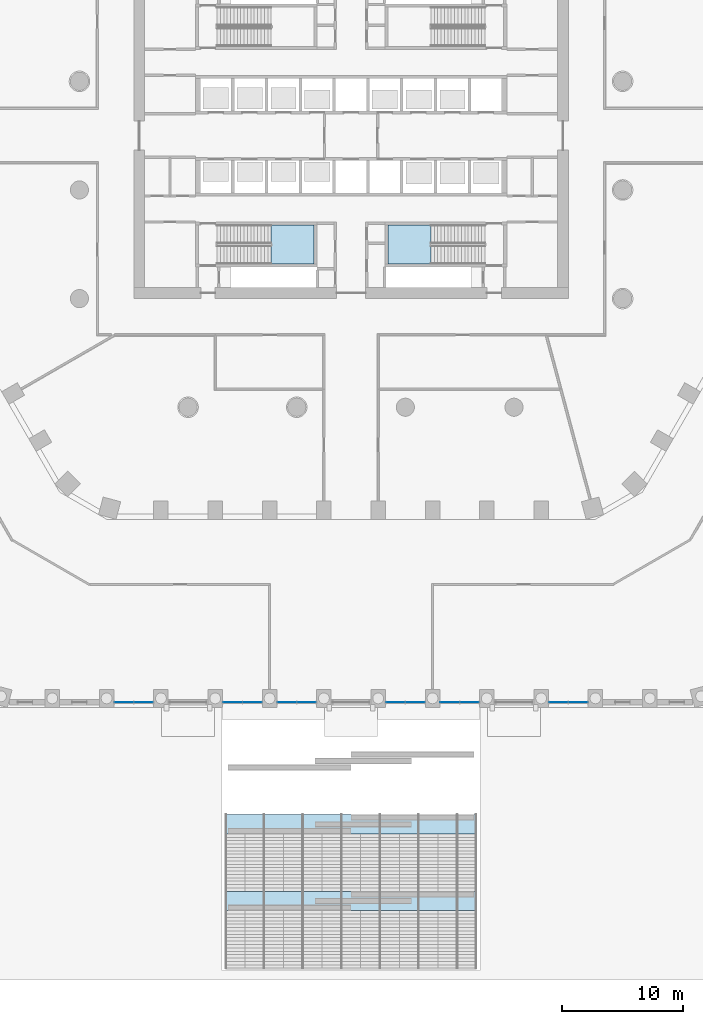
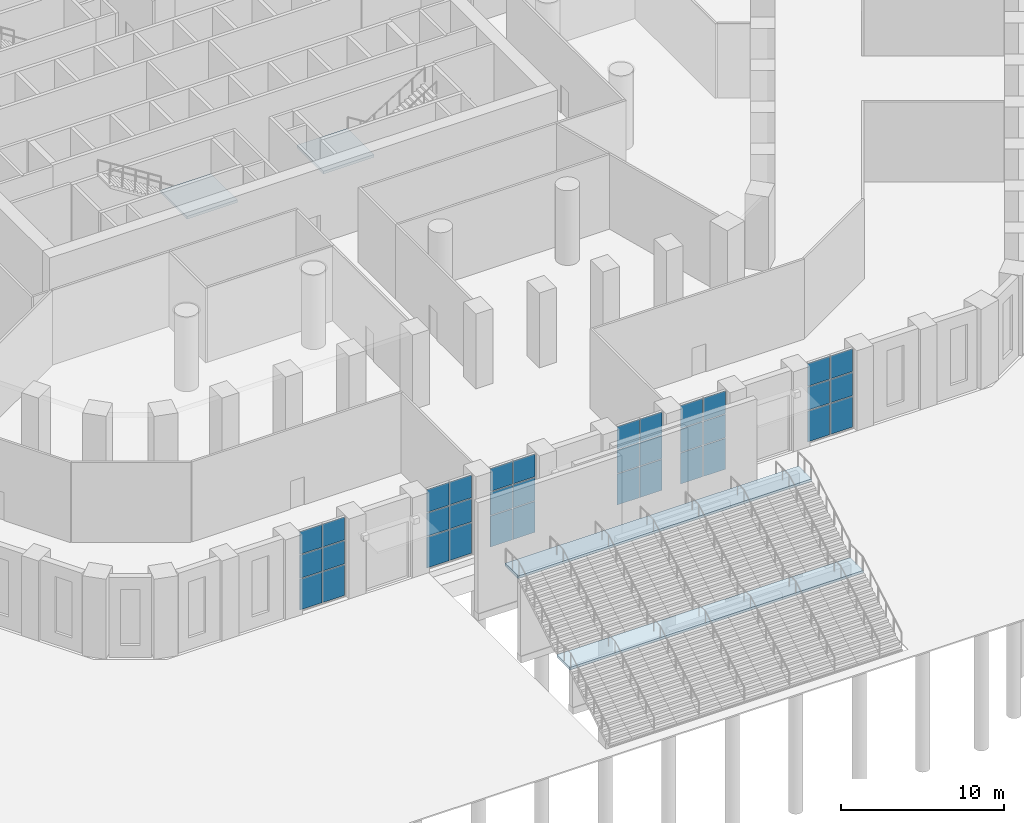
# One storey, part 10 of 44: 36 plates, 4 slabs, 9 elements without a shape of their own.
"""IFC4 building model written with IfcOpenShell, lengths in metres."""

import ifcopenshell
import ifcopenshell.guid

model = None  # the IFC model being written
_history = None  # IfcOwnerHistory: only IFC2X3 demands one
_inside = {}  # id of a spatial element -> (the spatial element, [elements in it])
_under = {}  # id of a project, library or spatial element -> (it, [spatial elements below it])
_declared = {}  # id of a project -> (the project, [libraries it declares])
_typed = {}  # id of a type object -> (the type object, [elements of that type])
_made_of = {}  # id of a material, layer set ... -> (it, [elements and type objects made of it])


def new_model(schema):
    """Start an empty IFC model of exactly this schema.

    Asked for "IFC4X3", IfcOpenShell would pick the latest addendum, in which some entities
    have other attributes; the version numbers below select the first issue.
    IFC2X3 requires an IfcOwnerHistory on every rooted entity: one is made here for all.
    """
    global model, _history
    if schema == "IFC4X3":
        model = ifcopenshell.file(schema_version=(4, 3, 0, 0))
    else:
        model = ifcopenshell.file(schema=schema)
    _inside.clear()
    _under.clear()
    _declared.clear()
    _typed.clear()
    _made_of.clear()
    _history = None
    if model.schema == "IFC2X3":
        org = make("IfcOrganization", Name="unknown")
        user = make(
            "IfcPersonAndOrganization",
            ThePerson=make("IfcPerson", FamilyName="unknown"),
            TheOrganization=org,
        )
        app = make(
            "IfcApplication",
            ApplicationDeveloper=org,
            Version="unknown",
            ApplicationFullName="unknown",
            ApplicationIdentifier="unknown",
        )
        _history = make(
            "IfcOwnerHistory",
            OwningUser=user,
            OwningApplication=app,
            ChangeAction="ADDED",
            CreationDate=0,
        )
    return model


def make(cls, **values):
    """One entity of the class cls with the attributes given. An attribute that is None is left unset."""
    return model.create_entity(
        cls, **{name: value for name, value in values.items() if value is not None}
    )


def rooted(cls, **values):
    """An entity with a GlobalId (a new one), such as an element, a storey or a relation."""
    return make(cls, GlobalId=ifcopenshell.guid.new(), OwnerHistory=_history, **values)


def si_unit(unit_type, name, prefix=None):
    """IfcSIUnit, for example si_unit("LENGTHUNIT", "METRE", prefix="MILLI")."""
    return make("IfcSIUnit", UnitType=unit_type, Prefix=prefix, Name=name)


def assignment(units):
    """IfcUnitAssignment: the units of a project."""
    return None if units is None else make("IfcUnitAssignment", Units=units)


def point(xyz):
    """IfcCartesianPoint."""
    return None if xyz is None else make("IfcCartesianPoint", Coordinates=xyz)


def direction(xyz):
    """IfcDirection."""
    return None if xyz is None else make("IfcDirection", DirectionRatios=xyz)


def frame(location, z_axis=None, x_axis=None):
    """IfcAxis2Placement3D, a coordinate frame: its origin and axes. An axis left out is left unset."""
    return make(
        "IfcAxis2Placement3D",
        Location=point(location),
        Axis=direction(z_axis),
        RefDirection=direction(x_axis),
    )


def frame_2d(location, x_axis=None):
    """IfcAxis2Placement2D, a coordinate frame in the plane: its origin and x axis."""
    return make(
        "IfcAxis2Placement2D", Location=point(location), RefDirection=direction(x_axis)
    )


def origin():
    """The frame at (0, 0, 0) with its axes left unset."""
    return frame((0.0, 0.0, 0.0))


def origin_2d():
    """The frame at (0, 0) in the plane with its x axis left unset."""
    return frame_2d((0.0, 0.0))


def place(relative_to, where):
    """IfcLocalPlacement: puts the frame where relative to a parent placement (None: the world)."""
    return make(
        "IfcLocalPlacement", PlacementRelTo=relative_to, RelativePlacement=where
    )


def context(
    kind, dimensions, precision=None, world=None, true_north=None, identifier=None
):
    """IfcGeometricRepresentationContext, for example the 3D "Model" context."""
    return make(
        "IfcGeometricRepresentationContext",
        ContextIdentifier=identifier,
        ContextType=kind,
        CoordinateSpaceDimension=dimensions,
        Precision=precision,
        WorldCoordinateSystem=world,
        TrueNorth=true_north,
    )


def subcontext(parent, identifier, kind, view, scale=None):
    """IfcGeometricRepresentationSubContext, for example "Body" below "Model"."""
    return make(
        "IfcGeometricRepresentationSubContext",
        ContextIdentifier=identifier,
        ContextType=kind,
        ParentContext=parent,
        TargetScale=scale,
        TargetView=view,
    )


def project(units=None, contexts=None):
    """IfcProject with its units and contexts."""
    return rooted(
        "IfcProject",
        Name="project",
        RepresentationContexts=contexts,
        UnitsInContext=assignment(units),
    )


def spatial(cls, under=None, at=None, **own):
    """A site, building, storey or space (cls), placed at a placement, below another one or the project."""
    s = rooted(cls, ObjectPlacement=at, **own)
    if under is not None:
        _under.setdefault(under.id(), (under, []))[1].append(s)
    return s


def polyline(points):
    """IfcPolyline through the points."""
    return make("IfcPolyline", Points=[point(p) for p in points])


def profile(cls, at=None, kind="AREA", **sizes):
    """A parametric profile (cls). Its sizes go by their IFC names, for example OverallWidth=200.0."""
    return make(cls, ProfileType=kind, Position=at, **sizes)


def rectangle(**sizes):
    """IfcRectangleProfileDef."""
    return profile("IfcRectangleProfileDef", **sizes)


def outline(outer, holes=None, kind="AREA"):
    """IfcArbitraryClosedProfileDef: a profile drawn as a closed curve; with holes, ...WithVoids."""
    if holes is None:
        return make("IfcArbitraryClosedProfileDef", ProfileType=kind, OuterCurve=outer)
    return make(
        "IfcArbitraryProfileDefWithVoids",
        ProfileType=kind,
        OuterCurve=outer,
        InnerCurves=holes,
    )


def extrude(swept, where, along, depth):
    """IfcExtrudedAreaSolid: the profile swept, set in the frame where, extruded along a direction by depth."""
    return make(
        "IfcExtrudedAreaSolid",
        SweptArea=swept,
        Position=where,
        ExtrudedDirection=direction(along),
        Depth=depth,
    )


def shape(context_of_items, identifier, shape_type, items):
    """IfcShapeRepresentation: the items that make up one representation, for example the "Body"."""
    return make(
        "IfcShapeRepresentation",
        ContextOfItems=context_of_items,
        RepresentationIdentifier=identifier,
        RepresentationType=shape_type,
        Items=items,
    )


def material(Name=None, Category=None):
    """IfcMaterial."""
    return make("IfcMaterial", Name=Name, Category=Category)


def layer(
    of_material, thickness, ventilated=None, Name=None, Category=None, Priority=None
):
    """IfcMaterialLayer: one layer of a wall or slab, of a material (None: an air gap)."""
    return make(
        "IfcMaterialLayer",
        Material=of_material,
        LayerThickness=thickness,
        IsVentilated=ventilated,
        Name=Name,
        Category=Category,
        Priority=Priority,
    )


def layer_set(layers, Name=None):
    """IfcMaterialLayerSet."""
    return make("IfcMaterialLayerSet", MaterialLayers=layers, LayerSetName=Name)


def made_of(thing, what):
    """Note that an element or type object is made of a material, layer set ...; save() writes the relation."""
    if what is not None:
        _made_of.setdefault(what.id(), (what, []))[1].append(thing)
    return thing


def type_object(cls, material=None, **own):
    """A type object (cls), such as IfcWallType, which elements share."""
    return made_of(rooted(cls, **own), material)


def element(
    cls,
    number,
    at=None,
    inside=None,
    cuts=None,
    type_object=None,
    material=None,
    context=None,
    identifier="Body",
    shape_type=None,
    held_by="IfcProductDefinitionShape",
    body=None,
    shapes=None,
    **own,
):
    """One element of the class cls, such as IfcWall. Its Tag is "e" and its number.

    at: its placement. inside: the storey or other place that contains it. cuts: it is an
    opening in that element (IfcRelVoidsElement). A single representation is given by context,
    identifier, shape_type and body (its items); several are given by shapes. held_by: the class
    of the entity that holds the representations. save() writes the other relations.
    """
    e = rooted(cls, Tag="e%d" % number, ObjectPlacement=at, **own)
    if body is not None:
        shapes = [shape(context, identifier, shape_type, body)]
    if shapes is not None:
        e.Representation = make(held_by, Representations=shapes)
    if inside is not None:
        _inside.setdefault(inside.id(), (inside, []))[1].append(e)
    if cuts is not None:
        rooted(
            "IfcRelVoidsElement", RelatingBuildingElement=cuts, RelatedOpeningElement=e
        )
    if type_object is not None:
        _typed.setdefault(type_object.id(), (type_object, []))[1].append(e)
    return made_of(e, material)


def aggregate(whole, parts):
    """IfcRelAggregates: a whole, such as a stair, and the parts it consists of."""
    return rooted("IfcRelAggregates", RelatingObject=whole, RelatedObjects=parts)


def save(model, path):
    """Write the relations noted so far, then the file.

    IfcRelAggregates (storeys below a building ...), IfcRelContainedInSpatialStructure (elements
    in a storey), IfcRelDefinesByType, IfcRelAssociatesMaterial and IfcRelDeclares: one each for
    every whole, place, type object, material and project.
    """
    for whole, parts in _under.values():
        aggregate(whole, parts)
    for where, things in _inside.values():
        rooted(
            "IfcRelContainedInSpatialStructure",
            RelatedElements=things,
            RelatingStructure=where,
        )
    for kind, things in _typed.values():
        rooted("IfcRelDefinesByType", RelatedObjects=things, RelatingType=kind)
    for what, things in _made_of.values():
        rooted("IfcRelAssociatesMaterial", RelatedObjects=things, RelatingMaterial=what)
    for by, libraries in _declared.values():
        rooted("IfcRelDeclares", RelatingContext=by, RelatedDefinitions=libraries)
    model.write(path)


model = new_model("IFC4")

# Units and contexts
model_context = context("Model", 3, precision=1e-05, world=origin(), true_north=direction((0.0, 1.0)))
body_context = subcontext(model_context, "Body", "Model", "MODEL_VIEW")
ifc_project = project(units=[si_unit("LENGTHUNIT", "METRE"), si_unit("AREAUNIT", "SQUARE_METRE"), si_unit("VOLUMEUNIT", "CUBIC_METRE"), si_unit("PLANEANGLEUNIT", "RADIAN"), si_unit("MASSUNIT", "GRAM", prefix="KILO")], contexts=[model_context])

# Site, building, storey
site_placement = place(None, origin())
site = spatial("IfcSite", under=ifc_project, at=site_placement, CompositionType="ELEMENT")
building_placement = place(site_placement, origin())
building = spatial("IfcBuilding", under=site, at=building_placement, Name="Dhurran Vertical Campus", CompositionType="ELEMENT")
storey_placement = place(building_placement, origin())
storey = spatial("IfcBuildingStorey", under=building, at=storey_placement, Name="L00", CompositionType="ELEMENT", Elevation=0.0)

# Curtain wall, plates
ifc_material_1 = material(Name="Aluminium frame with solar-control glass", Category="aluminium")
ifc_layer_1 = layer(ifc_material_1, 0.199951171875)
ifc_layer_set_1 = layer_set([ifc_layer_1], Name="Aluminium frame with solar-control glass")
curtain_wall_type = type_object("IfcCurtainWallType", Name="Entrance glazing system", PredefinedType="NOTDEFINED", material=ifc_layer_set_1)
curtain_wall_1_placement = place(storey_placement, origin())
curtain_wall_1 = element("IfcCurtainWall", 1, at=curtain_wall_1_placement, inside=storey, type_object=curtain_wall_type, Name="CW1 L00.02", PredefinedType="NOTDEFINED")
ifc_material_2 = material(Name="Clear solar-control glass", Category="glass")
ifc_layer_2 = layer(ifc_material_2, 0.028076171875)
ifc_layer_set_2 = layer_set([ifc_layer_2], Name="Clear solar-control glass")
plate_type = type_object("IfcPlateType", Name="Entrance glazing system panel", PredefinedType="CURTAIN_PANEL", material=ifc_layer_set_2)
plate_1_placement = place(storey_placement, frame((-18.809814453125, -46.943359375, 0.06005859375), z_axis=(0.0, 0.0, 1.0), x_axis=(1.0, 0.0, 0.0)))
plate_1 = element("IfcPlate", 2, at=plate_1_placement, type_object=plate_type, Name="CW1 panel 1.1", PredefinedType="CURTAIN_PANEL", context=body_context, shape_type="SweptSolid", body=[
    extrude(rectangle(XDim=1.5595703125, YDim=0.028076171875, at=origin_2d()), origin(), (0.0, 0.0, 1.0), 2.31005859375),
])
plate_2_placement = place(storey_placement, frame((-18.809814453125, -46.943359375, 2.43017578125), z_axis=(0.0, 0.0, 1.0), x_axis=(1.0, 0.0, 0.0)))
plate_2 = element("IfcPlate", 3, at=plate_2_placement, type_object=plate_type, Name="CW1 panel 1.2", PredefinedType="CURTAIN_PANEL", context=body_context, shape_type="SweptSolid", body=[
    extrude(rectangle(XDim=1.5595703125, YDim=0.028076171875, at=origin_2d()), origin(), (0.0, 0.0, 1.0), 1.739990234375),
])
plate_3_placement = place(storey_placement, frame((-18.809814453125, -46.943359375, 4.22998046875), z_axis=(0.0, 0.0, 1.0), x_axis=(1.0, 0.0, 0.0)))
plate_3 = element("IfcPlate", 4, at=plate_3_placement, type_object=plate_type, Name="CW1 panel 1.3", PredefinedType="CURTAIN_PANEL", context=body_context, shape_type="SweptSolid", body=[
    extrude(rectangle(XDim=1.5595703125, YDim=0.028076171875, at=origin_2d()), origin(), (0.0, 0.0, 1.0), 1.7099609375),
])
plate_4_placement = place(storey_placement, frame((-17.190185546875, -46.943359375, 0.06005859375), z_axis=(0.0, 0.0, 1.0), x_axis=(1.0, 0.0, 0.0)))
plate_4 = element("IfcPlate", 5, at=plate_4_placement, type_object=plate_type, Name="CW1 panel 2.1", PredefinedType="CURTAIN_PANEL", context=body_context, shape_type="SweptSolid", body=[
    extrude(rectangle(XDim=1.5595703125, YDim=0.028076171875, at=origin_2d()), origin(), (0.0, 0.0, 1.0), 2.31005859375),
])
plate_5_placement = place(storey_placement, frame((-17.190185546875, -46.943359375, 2.43017578125), z_axis=(0.0, 0.0, 1.0), x_axis=(1.0, 0.0, 0.0)))
plate_5 = element("IfcPlate", 6, at=plate_5_placement, type_object=plate_type, Name="CW1 panel 2.2", PredefinedType="CURTAIN_PANEL", context=body_context, shape_type="SweptSolid", body=[
    extrude(rectangle(XDim=1.5595703125, YDim=0.028076171875, at=origin_2d()), origin(), (0.0, 0.0, 1.0), 1.739990234375),
])
plate_6_placement = place(storey_placement, frame((-17.190185546875, -46.943359375, 4.22998046875), z_axis=(0.0, 0.0, 1.0), x_axis=(1.0, 0.0, 0.0)))
plate_6 = element("IfcPlate", 7, at=plate_6_placement, type_object=plate_type, Name="CW1 panel 2.3", PredefinedType="CURTAIN_PANEL", context=body_context, shape_type="SweptSolid", body=[
    extrude(rectangle(XDim=1.5595703125, YDim=0.028076171875, at=origin_2d()), origin(), (0.0, 0.0, 1.0), 1.7099609375),
])
aggregate(curtain_wall_1, [plate_1, plate_2, plate_3, plate_4, plate_5, plate_6])

curtain_wall_2_placement = place(storey_placement, origin())
curtain_wall_2 = element("IfcCurtainWall", 8, at=curtain_wall_2_placement, inside=storey, type_object=curtain_wall_type, Name="CW1 L00.04", PredefinedType="NOTDEFINED")
plate_7_placement = place(storey_placement, frame((-9.809814453125, -46.943359375, 0.06005859375), z_axis=(0.0, 0.0, 1.0), x_axis=(1.0, 0.0, 0.0)))
plate_7 = element("IfcPlate", 9, at=plate_7_placement, type_object=plate_type, Name="CW1 panel 1.1", PredefinedType="CURTAIN_PANEL", context=body_context, shape_type="SweptSolid", body=[
    extrude(rectangle(XDim=1.5595703125, YDim=0.028076171875, at=origin_2d()), origin(), (0.0, 0.0, 1.0), 2.31005859375),
])
plate_8_placement = place(storey_placement, frame((-9.809814453125, -46.943359375, 2.43017578125), z_axis=(0.0, 0.0, 1.0), x_axis=(1.0, 0.0, 0.0)))
plate_8 = element("IfcPlate", 10, at=plate_8_placement, type_object=plate_type, Name="CW1 panel 1.2", PredefinedType="CURTAIN_PANEL", context=body_context, shape_type="SweptSolid", body=[
    extrude(rectangle(XDim=1.5595703125, YDim=0.028076171875, at=origin_2d()), origin(), (0.0, 0.0, 1.0), 1.739990234375),
])
plate_9_placement = place(storey_placement, frame((-9.809814453125, -46.943359375, 4.22998046875), z_axis=(0.0, 0.0, 1.0), x_axis=(1.0, 0.0, 0.0)))
plate_9 = element("IfcPlate", 11, at=plate_9_placement, type_object=plate_type, Name="CW1 panel 1.3", PredefinedType="CURTAIN_PANEL", context=body_context, shape_type="SweptSolid", body=[
    extrude(rectangle(XDim=1.5595703125, YDim=0.028076171875, at=origin_2d()), origin(), (0.0, 0.0, 1.0), 1.7099609375),
])
plate_10_placement = place(storey_placement, frame((-8.190185546875, -46.943359375, 0.06005859375), z_axis=(0.0, 0.0, 1.0), x_axis=(1.0, 0.0, 0.0)))
plate_10 = element("IfcPlate", 12, at=plate_10_placement, type_object=plate_type, Name="CW1 panel 2.1", PredefinedType="CURTAIN_PANEL", context=body_context, shape_type="SweptSolid", body=[
    extrude(rectangle(XDim=1.5595703125, YDim=0.028076171875, at=origin_2d()), origin(), (0.0, 0.0, 1.0), 2.31005859375),
])
plate_11_placement = place(storey_placement, frame((-8.190185546875, -46.943359375, 2.43017578125), z_axis=(0.0, 0.0, 1.0), x_axis=(1.0, 0.0, 0.0)))
plate_11 = element("IfcPlate", 13, at=plate_11_placement, type_object=plate_type, Name="CW1 panel 2.2", PredefinedType="CURTAIN_PANEL", context=body_context, shape_type="SweptSolid", body=[
    extrude(rectangle(XDim=1.5595703125, YDim=0.028076171875, at=origin_2d()), origin(), (0.0, 0.0, 1.0), 1.739990234375),
])
plate_12_placement = place(storey_placement, frame((-8.190185546875, -46.943359375, 4.22998046875), z_axis=(0.0, 0.0, 1.0), x_axis=(1.0, 0.0, 0.0)))
plate_12 = element("IfcPlate", 14, at=plate_12_placement, type_object=plate_type, Name="CW1 panel 2.3", PredefinedType="CURTAIN_PANEL", context=body_context, shape_type="SweptSolid", body=[
    extrude(rectangle(XDim=1.5595703125, YDim=0.028076171875, at=origin_2d()), origin(), (0.0, 0.0, 1.0), 1.7099609375),
])
aggregate(curtain_wall_2, [plate_7, plate_8, plate_9, plate_10, plate_11, plate_12])

curtain_wall_3_placement = place(storey_placement, origin())
curtain_wall_3 = element("IfcCurtainWall", 15, at=curtain_wall_3_placement, inside=storey, type_object=curtain_wall_type, Name="CW1 L00.05", PredefinedType="NOTDEFINED")
plate_13_placement = place(storey_placement, frame((-5.309814453125, -46.943359375, 0.06005859375), z_axis=(0.0, 0.0, 1.0), x_axis=(1.0, 0.0, 0.0)))
plate_13 = element("IfcPlate", 16, at=plate_13_placement, type_object=plate_type, Name="CW1 panel 1.1", PredefinedType="CURTAIN_PANEL", context=body_context, shape_type="SweptSolid", body=[
    extrude(rectangle(XDim=1.5595703125, YDim=0.028076171875, at=origin_2d()), origin(), (0.0, 0.0, 1.0), 2.31005859375),
])
plate_14_placement = place(storey_placement, frame((-5.309814453125, -46.943359375, 2.43017578125), z_axis=(0.0, 0.0, 1.0), x_axis=(1.0, 0.0, 0.0)))
plate_14 = element("IfcPlate", 17, at=plate_14_placement, type_object=plate_type, Name="CW1 panel 1.2", PredefinedType="CURTAIN_PANEL", context=body_context, shape_type="SweptSolid", body=[
    extrude(rectangle(XDim=1.5595703125, YDim=0.028076171875, at=origin_2d()), origin(), (0.0, 0.0, 1.0), 1.739990234375),
])
plate_15_placement = place(storey_placement, frame((-5.309814453125, -46.943359375, 4.22998046875), z_axis=(0.0, 0.0, 1.0), x_axis=(1.0, 0.0, 0.0)))
plate_15 = element("IfcPlate", 18, at=plate_15_placement, type_object=plate_type, Name="CW1 panel 1.3", PredefinedType="CURTAIN_PANEL", context=body_context, shape_type="SweptSolid", body=[
    extrude(rectangle(XDim=1.5595703125, YDim=0.028076171875, at=origin_2d()), origin(), (0.0, 0.0, 1.0), 1.7099609375),
])
plate_16_placement = place(storey_placement, frame((-3.690185546875, -46.943359375, 0.06005859375), z_axis=(0.0, 0.0, 1.0), x_axis=(1.0, 0.0, 0.0)))
plate_16 = element("IfcPlate", 19, at=plate_16_placement, type_object=plate_type, Name="CW1 panel 2.1", PredefinedType="CURTAIN_PANEL", context=body_context, shape_type="SweptSolid", body=[
    extrude(rectangle(XDim=1.5595703125, YDim=0.028076171875, at=origin_2d()), origin(), (0.0, 0.0, 1.0), 2.31005859375),
])
plate_17_placement = place(storey_placement, frame((-3.690185546875, -46.943359375, 2.43017578125), z_axis=(0.0, 0.0, 1.0), x_axis=(1.0, 0.0, 0.0)))
plate_17 = element("IfcPlate", 20, at=plate_17_placement, type_object=plate_type, Name="CW1 panel 2.2", PredefinedType="CURTAIN_PANEL", context=body_context, shape_type="SweptSolid", body=[
    extrude(rectangle(XDim=1.5595703125, YDim=0.028076171875, at=origin_2d()), origin(), (0.0, 0.0, 1.0), 1.739990234375),
])
plate_18_placement = place(storey_placement, frame((-3.690185546875, -46.943359375, 4.22998046875), z_axis=(0.0, 0.0, 1.0), x_axis=(1.0, 0.0, 0.0)))
plate_18 = element("IfcPlate", 21, at=plate_18_placement, type_object=plate_type, Name="CW1 panel 2.3", PredefinedType="CURTAIN_PANEL", context=body_context, shape_type="SweptSolid", body=[
    extrude(rectangle(XDim=1.5595703125, YDim=0.028076171875, at=origin_2d()), origin(), (0.0, 0.0, 1.0), 1.7099609375),
])
aggregate(curtain_wall_3, [plate_13, plate_14, plate_15, plate_16, plate_17, plate_18])

curtain_wall_4_placement = place(storey_placement, origin())
curtain_wall_4 = element("IfcCurtainWall", 22, at=curtain_wall_4_placement, inside=storey, type_object=curtain_wall_type, Name="CW1 L00.07", PredefinedType="NOTDEFINED")
plate_19_placement = place(storey_placement, frame((3.690185546875, -46.943359375, 0.06005859375), z_axis=(0.0, 0.0, 1.0), x_axis=(1.0, 0.0, 0.0)))
plate_19 = element("IfcPlate", 23, at=plate_19_placement, type_object=plate_type, Name="CW1 panel 1.1", PredefinedType="CURTAIN_PANEL", context=body_context, shape_type="SweptSolid", body=[
    extrude(rectangle(XDim=1.5595703125, YDim=0.028076171875, at=origin_2d()), origin(), (0.0, 0.0, 1.0), 2.31005859375),
])
plate_20_placement = place(storey_placement, frame((3.690185546875, -46.943359375, 2.43017578125), z_axis=(0.0, 0.0, 1.0), x_axis=(1.0, 0.0, 0.0)))
plate_20 = element("IfcPlate", 24, at=plate_20_placement, type_object=plate_type, Name="CW1 panel 1.2", PredefinedType="CURTAIN_PANEL", context=body_context, shape_type="SweptSolid", body=[
    extrude(rectangle(XDim=1.5595703125, YDim=0.028076171875, at=origin_2d()), origin(), (0.0, 0.0, 1.0), 1.739990234375),
])
plate_21_placement = place(storey_placement, frame((3.690185546875, -46.943359375, 4.22998046875), z_axis=(0.0, 0.0, 1.0), x_axis=(1.0, 0.0, 0.0)))
plate_21 = element("IfcPlate", 25, at=plate_21_placement, type_object=plate_type, Name="CW1 panel 1.3", PredefinedType="CURTAIN_PANEL", context=body_context, shape_type="SweptSolid", body=[
    extrude(rectangle(XDim=1.5595703125, YDim=0.028076171875, at=origin_2d()), origin(), (0.0, 0.0, 1.0), 1.7099609375),
])
plate_22_placement = place(storey_placement, frame((5.309814453125, -46.943359375, 0.06005859375), z_axis=(0.0, 0.0, 1.0), x_axis=(1.0, 0.0, 0.0)))
plate_22 = element("IfcPlate", 26, at=plate_22_placement, type_object=plate_type, Name="CW1 panel 2.1", PredefinedType="CURTAIN_PANEL", context=body_context, shape_type="SweptSolid", body=[
    extrude(rectangle(XDim=1.5595703125, YDim=0.028076171875, at=origin_2d()), origin(), (0.0, 0.0, 1.0), 2.31005859375),
])
plate_23_placement = place(storey_placement, frame((5.309814453125, -46.943359375, 2.43017578125), z_axis=(0.0, 0.0, 1.0), x_axis=(1.0, 0.0, 0.0)))
plate_23 = element("IfcPlate", 27, at=plate_23_placement, type_object=plate_type, Name="CW1 panel 2.2", PredefinedType="CURTAIN_PANEL", context=body_context, shape_type="SweptSolid", body=[
    extrude(rectangle(XDim=1.5595703125, YDim=0.028076171875, at=origin_2d()), origin(), (0.0, 0.0, 1.0), 1.739990234375),
])
plate_24_placement = place(storey_placement, frame((5.309814453125, -46.943359375, 4.22998046875), z_axis=(0.0, 0.0, 1.0), x_axis=(1.0, 0.0, 0.0)))
plate_24 = element("IfcPlate", 28, at=plate_24_placement, type_object=plate_type, Name="CW1 panel 2.3", PredefinedType="CURTAIN_PANEL", context=body_context, shape_type="SweptSolid", body=[
    extrude(rectangle(XDim=1.5595703125, YDim=0.028076171875, at=origin_2d()), origin(), (0.0, 0.0, 1.0), 1.7099609375),
])
aggregate(curtain_wall_4, [plate_19, plate_20, plate_21, plate_22, plate_23, plate_24])

curtain_wall_5_placement = place(storey_placement, origin())
curtain_wall_5 = element("IfcCurtainWall", 29, at=curtain_wall_5_placement, inside=storey, type_object=curtain_wall_type, Name="CW1 L00.08", PredefinedType="NOTDEFINED")
plate_25_placement = place(storey_placement, frame((8.190185546875, -46.943359375, 0.06005859375), z_axis=(0.0, 0.0, 1.0), x_axis=(1.0, 0.0, 0.0)))
plate_25 = element("IfcPlate", 30, at=plate_25_placement, type_object=plate_type, Name="CW1 panel 1.1", PredefinedType="CURTAIN_PANEL", context=body_context, shape_type="SweptSolid", body=[
    extrude(rectangle(XDim=1.5595703125, YDim=0.028076171875, at=origin_2d()), origin(), (0.0, 0.0, 1.0), 2.31005859375),
])
plate_26_placement = place(storey_placement, frame((8.190185546875, -46.943359375, 2.43017578125), z_axis=(0.0, 0.0, 1.0), x_axis=(1.0, 0.0, 0.0)))
plate_26 = element("IfcPlate", 31, at=plate_26_placement, type_object=plate_type, Name="CW1 panel 1.2", PredefinedType="CURTAIN_PANEL", context=body_context, shape_type="SweptSolid", body=[
    extrude(rectangle(XDim=1.5595703125, YDim=0.028076171875, at=origin_2d()), origin(), (0.0, 0.0, 1.0), 1.739990234375),
])
plate_27_placement = place(storey_placement, frame((8.190185546875, -46.943359375, 4.22998046875), z_axis=(0.0, 0.0, 1.0), x_axis=(1.0, 0.0, 0.0)))
plate_27 = element("IfcPlate", 32, at=plate_27_placement, type_object=plate_type, Name="CW1 panel 1.3", PredefinedType="CURTAIN_PANEL", context=body_context, shape_type="SweptSolid", body=[
    extrude(rectangle(XDim=1.5595703125, YDim=0.028076171875, at=origin_2d()), origin(), (0.0, 0.0, 1.0), 1.7099609375),
])
plate_28_placement = place(storey_placement, frame((9.809814453125, -46.943359375, 0.06005859375), z_axis=(0.0, 0.0, 1.0), x_axis=(1.0, 0.0, 0.0)))
plate_28 = element("IfcPlate", 33, at=plate_28_placement, type_object=plate_type, Name="CW1 panel 2.1", PredefinedType="CURTAIN_PANEL", context=body_context, shape_type="SweptSolid", body=[
    extrude(rectangle(XDim=1.5595703125, YDim=0.028076171875, at=origin_2d()), origin(), (0.0, 0.0, 1.0), 2.31005859375),
])
plate_29_placement = place(storey_placement, frame((9.809814453125, -46.943359375, 2.43017578125), z_axis=(0.0, 0.0, 1.0), x_axis=(1.0, 0.0, 0.0)))
plate_29 = element("IfcPlate", 34, at=plate_29_placement, type_object=plate_type, Name="CW1 panel 2.2", PredefinedType="CURTAIN_PANEL", context=body_context, shape_type="SweptSolid", body=[
    extrude(rectangle(XDim=1.5595703125, YDim=0.028076171875, at=origin_2d()), origin(), (0.0, 0.0, 1.0), 1.739990234375),
])
plate_30_placement = place(storey_placement, frame((9.809814453125, -46.943359375, 4.22998046875), z_axis=(0.0, 0.0, 1.0), x_axis=(1.0, 0.0, 0.0)))
plate_30 = element("IfcPlate", 35, at=plate_30_placement, type_object=plate_type, Name="CW1 panel 2.3", PredefinedType="CURTAIN_PANEL", context=body_context, shape_type="SweptSolid", body=[
    extrude(rectangle(XDim=1.5595703125, YDim=0.028076171875, at=origin_2d()), origin(), (0.0, 0.0, 1.0), 1.7099609375),
])
aggregate(curtain_wall_5, [plate_25, plate_26, plate_27, plate_28, plate_29, plate_30])

curtain_wall_6_placement = place(storey_placement, origin())
curtain_wall_6 = element("IfcCurtainWall", 36, at=curtain_wall_6_placement, inside=storey, type_object=curtain_wall_type, Name="CW1 L00.10", PredefinedType="NOTDEFINED")
plate_31_placement = place(storey_placement, frame((17.190185546875, -46.943359375, 0.06005859375), z_axis=(0.0, 0.0, 1.0), x_axis=(1.0, 0.0, 0.0)))
plate_31 = element("IfcPlate", 37, at=plate_31_placement, type_object=plate_type, Name="CW1 panel 1.1", PredefinedType="CURTAIN_PANEL", context=body_context, shape_type="SweptSolid", body=[
    extrude(rectangle(XDim=1.5595703125, YDim=0.028076171875, at=origin_2d()), origin(), (0.0, 0.0, 1.0), 2.31005859375),
])
plate_32_placement = place(storey_placement, frame((17.190185546875, -46.943359375, 2.43017578125), z_axis=(0.0, 0.0, 1.0), x_axis=(1.0, 0.0, 0.0)))
plate_32 = element("IfcPlate", 38, at=plate_32_placement, type_object=plate_type, Name="CW1 panel 1.2", PredefinedType="CURTAIN_PANEL", context=body_context, shape_type="SweptSolid", body=[
    extrude(rectangle(XDim=1.5595703125, YDim=0.028076171875, at=origin_2d()), origin(), (0.0, 0.0, 1.0), 1.739990234375),
])
plate_33_placement = place(storey_placement, frame((17.190185546875, -46.943359375, 4.22998046875), z_axis=(0.0, 0.0, 1.0), x_axis=(1.0, 0.0, 0.0)))
plate_33 = element("IfcPlate", 39, at=plate_33_placement, type_object=plate_type, Name="CW1 panel 1.3", PredefinedType="CURTAIN_PANEL", context=body_context, shape_type="SweptSolid", body=[
    extrude(rectangle(XDim=1.5595703125, YDim=0.028076171875, at=origin_2d()), origin(), (0.0, 0.0, 1.0), 1.7099609375),
])
plate_34_placement = place(storey_placement, frame((18.809814453125, -46.943359375, 0.06005859375), z_axis=(0.0, 0.0, 1.0), x_axis=(1.0, 0.0, 0.0)))
plate_34 = element("IfcPlate", 40, at=plate_34_placement, type_object=plate_type, Name="CW1 panel 2.1", PredefinedType="CURTAIN_PANEL", context=body_context, shape_type="SweptSolid", body=[
    extrude(rectangle(XDim=1.5595703125, YDim=0.028076171875, at=origin_2d()), origin(), (0.0, 0.0, 1.0), 2.31005859375),
])
plate_35_placement = place(storey_placement, frame((18.809814453125, -46.943359375, 2.43017578125), z_axis=(0.0, 0.0, 1.0), x_axis=(1.0, 0.0, 0.0)))
plate_35 = element("IfcPlate", 41, at=plate_35_placement, type_object=plate_type, Name="CW1 panel 2.2", PredefinedType="CURTAIN_PANEL", context=body_context, shape_type="SweptSolid", body=[
    extrude(rectangle(XDim=1.5595703125, YDim=0.028076171875, at=origin_2d()), origin(), (0.0, 0.0, 1.0), 1.739990234375),
])
plate_36_placement = place(storey_placement, frame((18.809814453125, -46.943359375, 4.22998046875), z_axis=(0.0, 0.0, 1.0), x_axis=(1.0, 0.0, 0.0)))
plate_36 = element("IfcPlate", 42, at=plate_36_placement, type_object=plate_type, Name="CW1 panel 2.3", PredefinedType="CURTAIN_PANEL", context=body_context, shape_type="SweptSolid", body=[
    extrude(rectangle(XDim=1.5595703125, YDim=0.028076171875, at=origin_2d()), origin(), (0.0, 0.0, 1.0), 1.7099609375),
])
aggregate(curtain_wall_6, [plate_31, plate_32, plate_33, plate_34, plate_35, plate_36])

# Stair, slab
ifc_material_3 = material(Name="Concrete C40/50", Category="concrete")
stair_type_1 = type_object("IfcStairType", Name="co-ST-CORE", PredefinedType="HALF_TURN_STAIR", material=ifc_material_3)
stair_1_placement = place(storey_placement, origin())
stair_1 = element("IfcStair", 43, at=stair_1_placement, inside=storey, type_object=stair_type_1, Name="L00 Protected exit stair ST3", PredefinedType="HALF_TURN_STAIR")
ifc_material_4 = material(Name="Concrete C40/50", Category="concrete")
ifc_layer_3 = layer(ifc_material_4, 0.199951171875)
ifc_layer_set_3 = layer_set([ifc_layer_3], Name="Concrete C40/50")
slab_type_1 = type_object("IfcSlabType", Name="co-SL-LANDING", PredefinedType="LANDING", material=ifc_layer_set_3)
slab_1_placement = place(storey_placement, frame((0.0, 0.0, 2.800048828125)))
slab_1 = element("IfcSlab", 44, at=slab_1_placement, type_object=slab_type_1, Name="ST3 landing 1", PredefinedType="LANDING", context=body_context, shape_type="SweptSolid", body=[
    extrude(outline(polyline([(-6.6201171875, -10.64990234375), (-3.050048828125, -10.64990234375), (-3.050048828125, -7.39990234375), (-6.6201171875, -7.39990234375), (-6.6201171875, -10.64990234375)])), origin(), (0.0, 0.0, 1.0), 0.199951171875),
])
aggregate(stair_1, [slab_1])

stair_2_placement = place(storey_placement, origin())
stair_2 = element("IfcStair", 45, at=stair_2_placement, inside=storey, type_object=stair_type_1, Name="L00 Protected exit stair ST4", PredefinedType="HALF_TURN_STAIR")
slab_2_placement = place(storey_placement, frame((0.0, 0.0, 2.800048828125)))
slab_2 = element("IfcSlab", 46, at=slab_2_placement, type_object=slab_type_1, Name="ST4 landing 1", PredefinedType="LANDING", context=body_context, shape_type="SweptSolid", body=[
    extrude(outline(polyline([(6.6201171875, -7.39990234375), (3.050048828125, -7.39990234375), (3.050048828125, -10.64990234375), (6.6201171875, -10.64990234375), (6.6201171875, -7.39990234375)])), origin(), (0.0, 0.0, 1.0), 0.199951171875),
])
aggregate(stair_2, [slab_2])

# Stair, slabs
ifc_material_5 = material(Name="Concrete C40/50", Category="concrete")
stair_type_2 = type_object("IfcStairType", Name="st-broad stair straight 3 flights", PredefinedType="STRAIGHT_RUN_STAIR", material=ifc_material_5)
stair_3_placement = place(storey_placement, origin())
stair_3 = element("IfcStair", 47, at=stair_3_placement, inside=storey, type_object=stair_type_2, Name="Broad stair DS1 from the plaza to the first floor level", PredefinedType="STRAIGHT_RUN_STAIR")
ifc_material_6 = material(Name="Concrete C40/50", Category="concrete")
ifc_layer_4 = layer(ifc_material_6, 0.199951171875)
ifc_layer_set_4 = layer_set([ifc_layer_4], Name="Concrete C40/50")
slab_type_2 = type_object("IfcSlabType", Name="st-stair landing 200", PredefinedType="LANDING", material=ifc_layer_set_4)
slab_3_placement = place(storey_placement, frame((0.0, 0.0, 2.800048828125)))
slab_3 = element("IfcSlab", 48, at=slab_3_placement, type_object=slab_type_2, Name="DS1 landing 1", PredefinedType="LANDING", context=body_context, shape_type="SweptSolid", body=[
    extrude(outline(polyline([(-10.39990234375, -64.208251953125), (10.39990234375, -64.208251953125), (10.39990234375, -62.608154296875), (-10.39990234375, -62.608154296875), (-10.39990234375, -64.208251953125)])), origin(), (0.0, 0.0, 1.0), 0.199951171875),
])
slab_4_placement = place(storey_placement, frame((0.0, 0.0, 5.800048828125)))
slab_4 = element("IfcSlab", 49, at=slab_4_placement, type_object=slab_type_2, Name="DS1 landing 2", PredefinedType="LANDING", context=body_context, shape_type="SweptSolid", body=[
    extrude(outline(polyline([(-10.39990234375, -57.84814453125), (10.39990234375, -57.84814453125), (10.39990234375, -56.248291015625), (-10.39990234375, -56.248291015625), (-10.39990234375, -57.84814453125)])), origin(), (0.0, 0.0, 1.0), 0.199951171875),
])
aggregate(stair_3, [slab_3, slab_4])

save(model, "model.ifc")
